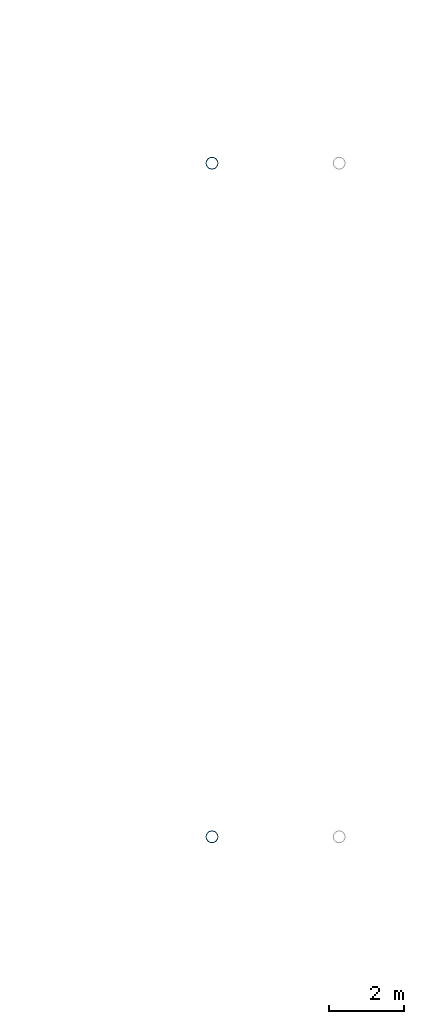
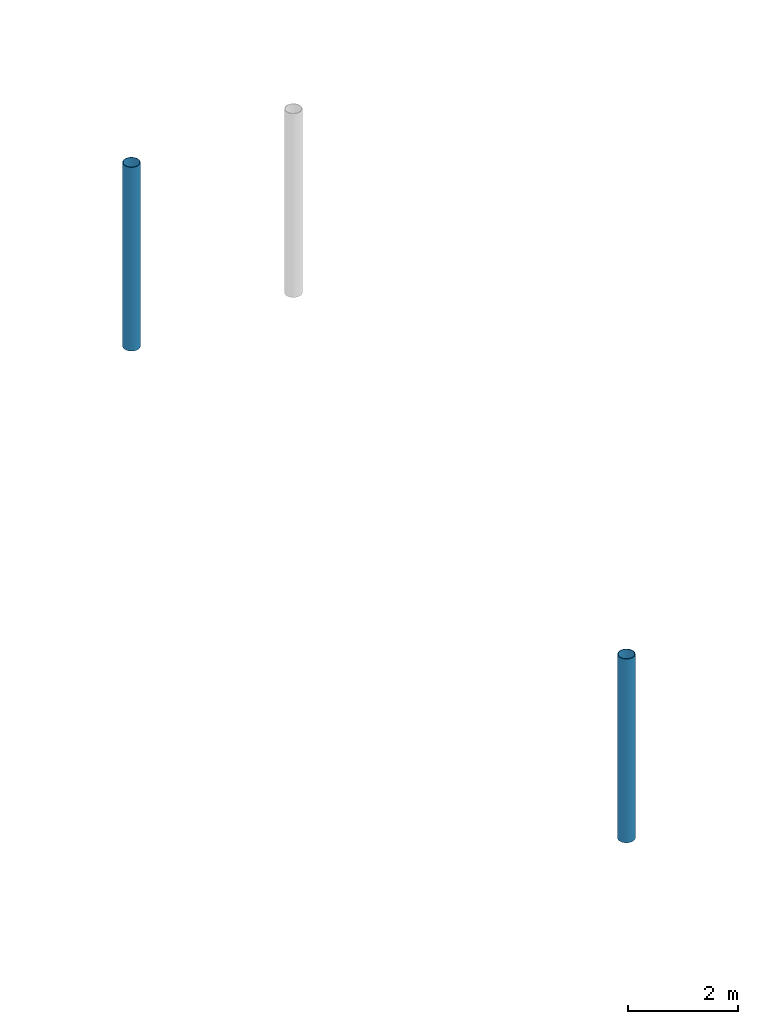
# One storey, part 3 of 91: 2 columns.
"""IFC4 building model written with IfcOpenShell, lengths in metres."""

from ifc_helpers import new_model, si_unit, direction, frame, origin, origin_2d, place, context, subcontext, project, spatial, hollow_circle, extrude, material, material_profile, profile_set, type_object, element, save


model = new_model("IFC4")

# Units and contexts
model_context = context("Model", 3, precision=1e-05, world=origin(), true_north=direction((0.0, 1.0)))
body_context = subcontext(model_context, "Body", "Model", "MODEL_VIEW")
ifc_project = project(units=[si_unit("LENGTHUNIT", "METRE"), si_unit("AREAUNIT", "SQUARE_METRE"), si_unit("VOLUMEUNIT", "CUBIC_METRE"), si_unit("PLANEANGLEUNIT", "RADIAN"), si_unit("MASSUNIT", "GRAM", prefix="KILO")], contexts=[model_context])

# Site, building, storey
site_placement = place(None, origin())
site = spatial("IfcSite", under=ifc_project, at=site_placement, CompositionType="ELEMENT")
building_placement = place(site_placement, origin())
building = spatial("IfcBuilding", under=site, at=building_placement, Name="Valcora Specialist Clinic", CompositionType="ELEMENT")
storey_placement = place(building_placement, frame((0.0, 0.0, 13.60009765625)))
storey = spatial("IfcBuildingStorey", under=building, at=storey_placement, Name="L03", CompositionType="ELEMENT", Elevation=13.60009765625)

# Columns
ifc_material = material(Name="Steel ASTM A500 Grade C", Category="steel")
ifc_material_profile = material_profile(ifc_material, hollow_circle(Radius=0.162109375, WallThickness=0.011962890625, at=origin_2d()), Name="ST-CHS-324X12")
ifc_profile_set = profile_set([ifc_material_profile], Name="Steel ASTM A500 Grade C")
column_type = type_object("IfcColumnType", Name="TY-COL-CHS324", PredefinedType="COLUMN", material=ifc_profile_set)
for number, where, z_axis, x_axis, name in (
    (1, (61.60009765625, 38.0, 0.0), (0.0, 0.0, 1.0), (1.0, 0.0, 0.0), "Column COL-L03-0969"),
    (2, (61.60009765625, 56.0, 0.0), (0.0, 0.0, 1.0), (1.0, 0.0, 0.0), "Column COL-L03-0975"),
):
    element("IfcColumn", number, at=place(storey_placement, frame(where, z_axis=z_axis, x_axis=x_axis)), inside=storey, type_object=column_type, Name=name, PredefinedType="COLUMN", context=body_context, shape_type="SweptSolid", body=[
        extrude(hollow_circle(Radius=0.162109375, WallThickness=0.011962890625, at=origin_2d()), origin(), (0.0, 0.0, 1.0), 4.079833984375),
    ])

save(model, "model.ifc")
